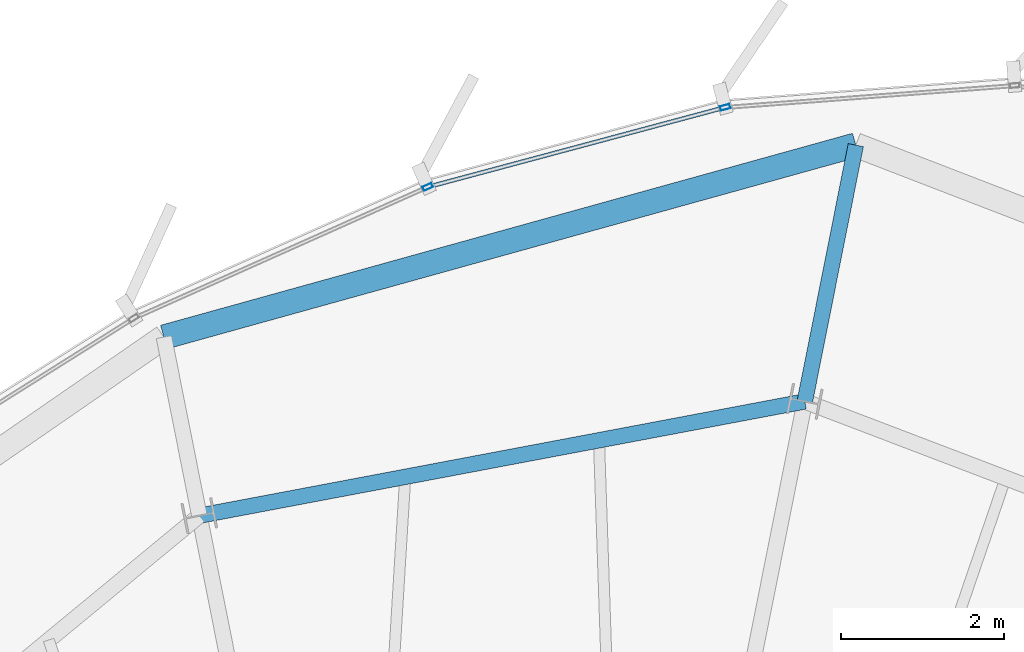
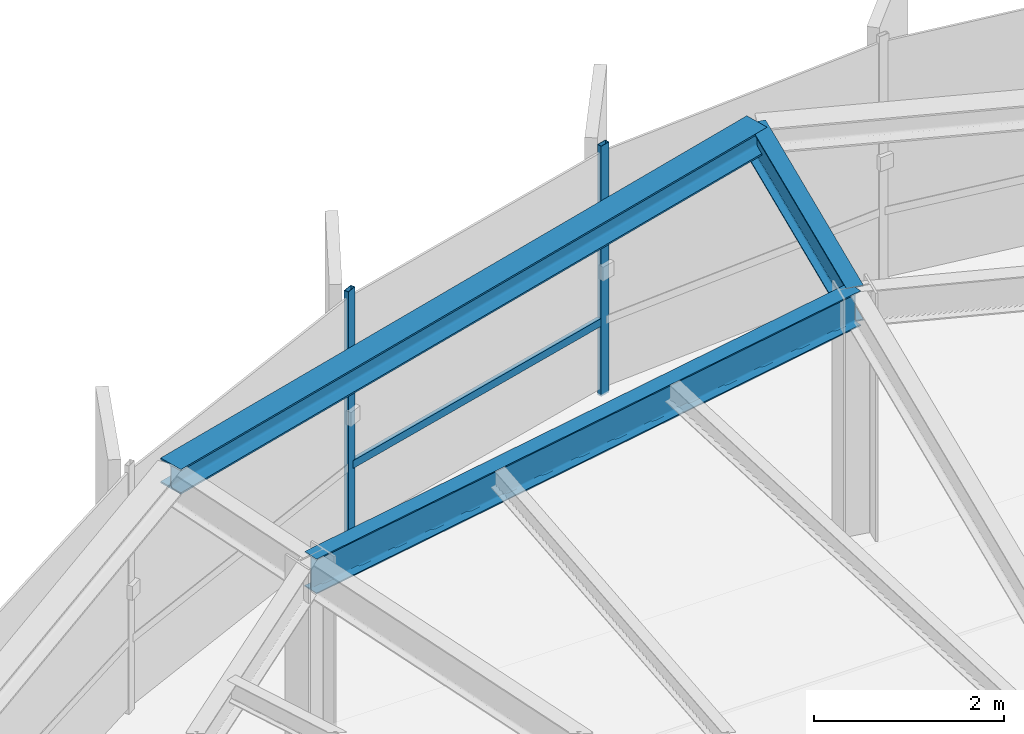
# One storey, part 21 of 32: 3 beams, 3 members, 1 element without a shape of its own.
"""IFC4 building model written with IfcOpenShell, lengths in metres."""

from ifc_helpers import new_model, si_unit, direction, frame, origin, origin_2d, place, context, subcontext, project, spatial, hollow_rectangle, i_section, extrude, source, transform, mapped, material, layer, layer_set, material_profile, profile_set, type_object, element, aggregate, save


model = new_model("IFC4")

# Units and contexts
model_context = context("Model", 3, precision=1e-05, world=origin(), true_north=direction((0.0, 1.0)))
body_context = subcontext(model_context, "Body", "Model", "MODEL_VIEW")
ifc_project = project(units=[si_unit("LENGTHUNIT", "METRE"), si_unit("AREAUNIT", "SQUARE_METRE"), si_unit("VOLUMEUNIT", "CUBIC_METRE"), si_unit("PLANEANGLEUNIT", "RADIAN"), si_unit("MASSUNIT", "GRAM", prefix="KILO"), si_unit("THERMODYNAMICTEMPERATUREUNIT", "KELVIN")], contexts=[model_context])

# Site, building, storey
site_placement = place(None, origin())
site = spatial("IfcSite", under=ifc_project, at=site_placement, CompositionType="ELEMENT")
building_placement = place(site_placement, origin())
building = spatial("IfcBuilding", under=site, at=building_placement, Name="Kethvar Cultural Tower", CompositionType="ELEMENT")
storey_placement = place(building_placement, frame((0.0, 0.0, 273.25)))
storey = spatial("IfcBuildingStorey", under=building, at=storey_placement, Name="L72", CompositionType="ELEMENT", Elevation=273.25)

# Beams
ifc_material_1 = material(Name="Steel S355J2", Category="steel")
ifc_material_profile_1 = material_profile(ifc_material_1, i_section(OverallWidth=0.18994140625, OverallDepth=0.449951171875, WebThickness=0.009521484375, FlangeThickness=0.0146484375, FilletRadius=0.02099609375, at=origin_2d()), Name="Steel S355J2 — IPE450")
ifc_profile_set_1 = profile_set([ifc_material_profile_1], Name="Steel S355J2 — IPE450")
beam_type_1 = type_object("IfcBeamType", Name="BM-IPE450", PredefinedType="BEAM", material=ifc_profile_set_1)
shared_shape_1 = source(origin(), body_context, "Body", "SweptSolid", [
    extrude(i_section(OverallWidth=0.18994140625, OverallDepth=0.449951171875, WebThickness=0.009521484375, FlangeThickness=0.0146484375, FilletRadius=0.02099609375, at=origin_2d()), origin(), (0.0, 0.0, 1.0), 3.199951171875),
])
beam_1_placement = place(storey_placement, frame((50.645263671875, 47.131591796875, 2.98291015625), z_axis=(0.195088965533, 0.980785550224, 0.0), x_axis=(-0.980785550224, 0.195088965533, 0.0)))
element("IfcBeam", 1, at=beam_1_placement, inside=storey, type_object=beam_type_1, Name="L72 Perimeter Cantilever Beam RC-04", PredefinedType="BEAM", context=body_context, shape_type="MappedRepresentation", body=[
    mapped(shared_shape_1, transform((0.0, 0.0, 0.0), scale=1.0)),
])
shared_shape_2 = source(origin(), body_context, "Body", "SweptSolid", [
    extrude(i_section(OverallWidth=0.18994140625, OverallDepth=0.449951171875, WebThickness=0.009521484375, FlangeThickness=0.0146484375, FilletRadius=0.02099609375, at=origin_2d()), origin(), (0.0, 0.0, 1.0), 7.543212890625),
])
beam_2_placement = place(storey_placement, frame((50.645263671875, 47.131591796875, 2.98291015625), z_axis=(-0.982646853086, -0.185486285532, 0.0), x_axis=(0.185486285532, -0.982646853086, 0.0)))
element("IfcBeam", 2, at=beam_2_placement, inside=storey, type_object=beam_type_1, Name="L72 Column Ring Tie Beam CR-04", PredefinedType="BEAM", context=body_context, shape_type="MappedRepresentation", body=[
    mapped(shared_shape_2, transform((0.0, 0.0, 0.0), scale=1.0)),
])
ifc_material_profile_2 = material_profile(ifc_material_1, i_section(OverallWidth=0.300048828125, OverallDepth=0.320068359375, WebThickness=0.011474609375, FlangeThickness=0.0205078125, FilletRadius=0.027099609375, at=origin_2d()), Name="Steel S355J2 — HEB320")
ifc_profile_set_2 = profile_set([ifc_material_profile_2], Name="Steel S355J2 — HEB320")
beam_type_2 = type_object("IfcBeamType", Name="BM-SP320", PredefinedType="SPANDREL", material=ifc_profile_set_2)
shared_shape_3 = source(origin(), body_context, "Body", "SweptSolid", [
    extrude(i_section(OverallWidth=0.300048828125, OverallDepth=0.320068359375, WebThickness=0.011474609375, FlangeThickness=0.0205078125, FilletRadius=0.027099609375, at=origin_2d()), origin(), (0.0, 0.0, 1.0), 8.791748046875),
])
beam_3_placement = place(storey_placement, frame((51.26953125, 50.27001953125, 3.048095703125), z_axis=(-0.963579550213, -0.267421858513, 0.0), x_axis=(0.267421858513, -0.963579550213, 0.0)))
element("IfcBeam", 3, at=beam_3_placement, inside=storey, type_object=beam_type_2, Name="L72 Perimeter Spandrel Beam SP-04", PredefinedType="SPANDREL", context=body_context, shape_type="MappedRepresentation", body=[
    mapped(shared_shape_3, transform((0.0, 0.0, 0.0), scale=1.0)),
])

# Curtain wall, members
ifc_material_2 = material(Name="Aluminium 6063-T6", Category="aluminium")
ifc_layer = layer(ifc_material_2, 0.179931640625, Name="Aluminium 6063-T6", Category="aluminium")
ifc_layer_set = layer_set([ifc_layer], Name="Aluminium 6063-T6 (180 mm)")
curtain_wall_type = type_object("IfcCurtainWallType", Name="CW-SYS-05-Z56", PredefinedType="NOTDEFINED", material=ifc_layer_set)
curtain_wall_placement = place(storey_placement, origin())
curtain_wall = element("IfcCurtainWall", 4, at=curtain_wall_placement, inside=storey, type_object=curtain_wall_type, Name="L72 Curtain Wall Run 01", PredefinedType="NOTDEFINED")
ifc_material_profile_3 = material_profile(ifc_material_2, hollow_rectangle(XDim=0.054931640625, YDim=0.1201171875, WallThickness=0.00390625, at=origin_2d()), Name="Aluminium 6063-T6 — RHS120x55x4")
ifc_profile_set_3 = profile_set([ifc_material_profile_3], Name="Aluminium 6063-T6 — RHS120x55x4")
member_type_1 = type_object("IfcMemberType", Name="CW-SYS-05-Z56-MUL", PredefinedType="MULLION", material=ifc_profile_set_3)
shared_shape_4 = source(origin(), body_context, "Body", "SweptSolid", [
    extrude(hollow_rectangle(XDim=0.054931640625, YDim=0.1201171875, WallThickness=0.00390625, at=origin_2d()), origin(), (0.0, 0.0, 1.0), 3.2099609375),
])
member_1_placement = place(storey_placement, frame((49.67041015625, 50.732177734375, 0.0), z_axis=(0.0, 0.0, 1.0), x_axis=(0.258835903649, -0.965921308897, 0.0)))
member_1 = element("IfcMember", 5, at=member_1_placement, type_object=member_type_1, Name="CW-L72-R01 Mullion 4", PredefinedType="MULLION", context=body_context, shape_type="MappedRepresentation", body=[
    mapped(shared_shape_4, transform((0.0, 0.0, 0.0), scale=1.0)),
])
member_2_placement = place(storey_placement, frame((46.029052734375, 49.757568359375, 0.0), z_axis=(0.0, 0.0, 1.0), x_axis=(0.408011796273, -0.912976655837, 0.0)))
member_2 = element("IfcMember", 6, at=member_2_placement, type_object=member_type_1, Name="CW-L72-R01 Mullion 5", PredefinedType="MULLION", context=body_context, shape_type="MappedRepresentation", body=[
    mapped(shared_shape_4, transform((0.0, 0.0, 0.0), scale=1.0)),
])
ifc_material_profile_4 = material_profile(ifc_material_2, hollow_rectangle(XDim=0.050048828125, YDim=0.10009765625, WallThickness=0.00390625, at=origin_2d()), Name="Aluminium 6063-T6 — RHS100x50x4")
ifc_profile_set_4 = profile_set([ifc_material_profile_4], Name="Aluminium 6063-T6 — RHS100x50x4")
member_type_2 = type_object("IfcMemberType", Name="CW-SYS-05-Z56-TRN", PredefinedType="USERDEFINED", material=ifc_profile_set_4)
shared_shape_5 = source(origin(), body_context, "Body", "SweptSolid", [
    extrude(hollow_rectangle(XDim=0.050048828125, YDim=0.10009765625, WallThickness=0.00390625, at=origin_2d()), origin(), (0.0, 0.0, 1.0), 3.7060546875),
])
member_3_placement = place(storey_placement, frame((49.632080078125, 50.721923828125, 0.949951171875), z_axis=(-0.96592482183, -0.258822793765, 0.0), x_axis=(0.258822793765, -0.96592482183, 0.0)))
member_3 = element("IfcMember", 7, at=member_3_placement, type_object=member_type_2, Name="CW-L72-R01 Transom 4", ObjectType="TRANSOM", PredefinedType="USERDEFINED", context=body_context, shape_type="MappedRepresentation", body=[
    mapped(shared_shape_5, transform((0.0, 0.0, 0.0), scale=1.0)),
])
aggregate(curtain_wall, [member_1, member_2, member_3])

save(model, "model.ifc")
